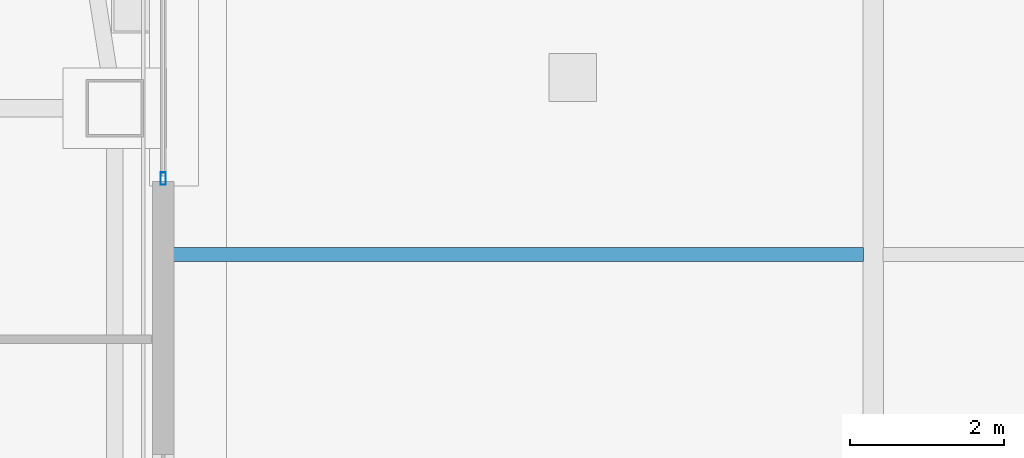
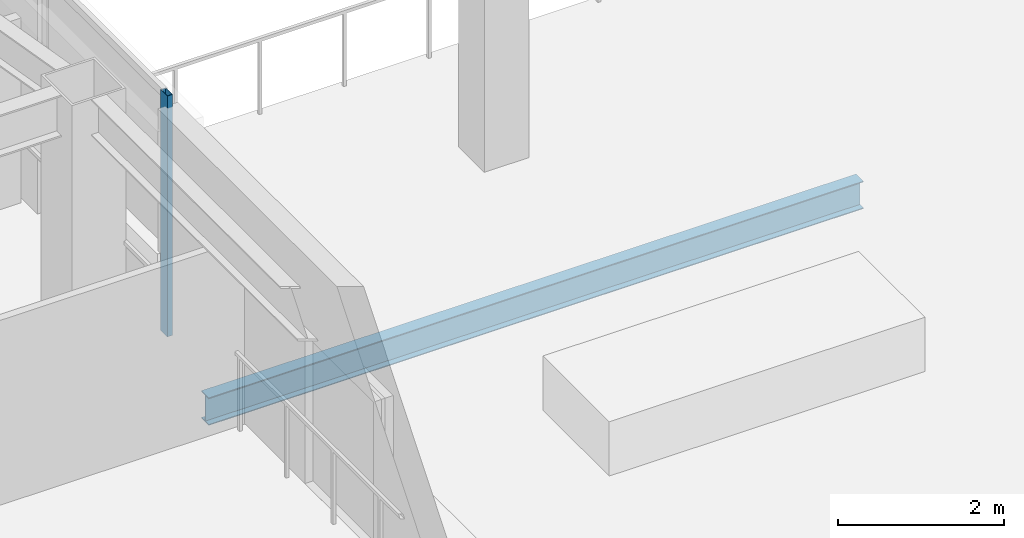
# One storey, part 11 of 37: 1 beam, 1 member, 1 element without a shape of its own.
"""IFC4 building model written with IfcOpenShell, lengths in metres."""

import ifcopenshell
import ifcopenshell.guid

model = None  # the IFC model being written
_history = None  # IfcOwnerHistory: only IFC2X3 demands one
_inside = {}  # id of a spatial element -> (the spatial element, [elements in it])
_under = {}  # id of a project, library or spatial element -> (it, [spatial elements below it])
_declared = {}  # id of a project -> (the project, [libraries it declares])
_typed = {}  # id of a type object -> (the type object, [elements of that type])
_made_of = {}  # id of a material, layer set ... -> (it, [elements and type objects made of it])


def new_model(schema):
    """Start an empty IFC model of exactly this schema.

    Asked for "IFC4X3", IfcOpenShell would pick the latest addendum, in which some entities
    have other attributes; the version numbers below select the first issue.
    IFC2X3 requires an IfcOwnerHistory on every rooted entity: one is made here for all.
    """
    global model, _history
    if schema == "IFC4X3":
        model = ifcopenshell.file(schema_version=(4, 3, 0, 0))
    else:
        model = ifcopenshell.file(schema=schema)
    _inside.clear()
    _under.clear()
    _declared.clear()
    _typed.clear()
    _made_of.clear()
    _history = None
    if model.schema == "IFC2X3":
        org = make("IfcOrganization", Name="unknown")
        user = make(
            "IfcPersonAndOrganization",
            ThePerson=make("IfcPerson", FamilyName="unknown"),
            TheOrganization=org,
        )
        app = make(
            "IfcApplication",
            ApplicationDeveloper=org,
            Version="unknown",
            ApplicationFullName="unknown",
            ApplicationIdentifier="unknown",
        )
        _history = make(
            "IfcOwnerHistory",
            OwningUser=user,
            OwningApplication=app,
            ChangeAction="ADDED",
            CreationDate=0,
        )
    return model


def make(cls, **values):
    """One entity of the class cls with the attributes given. An attribute that is None is left unset."""
    return model.create_entity(
        cls, **{name: value for name, value in values.items() if value is not None}
    )


def rooted(cls, **values):
    """An entity with a GlobalId (a new one), such as an element, a storey or a relation."""
    return make(cls, GlobalId=ifcopenshell.guid.new(), OwnerHistory=_history, **values)


def si_unit(unit_type, name, prefix=None):
    """IfcSIUnit, for example si_unit("LENGTHUNIT", "METRE", prefix="MILLI")."""
    return make("IfcSIUnit", UnitType=unit_type, Prefix=prefix, Name=name)


def assignment(units):
    """IfcUnitAssignment: the units of a project."""
    return None if units is None else make("IfcUnitAssignment", Units=units)


def point(xyz):
    """IfcCartesianPoint."""
    return None if xyz is None else make("IfcCartesianPoint", Coordinates=xyz)


def direction(xyz):
    """IfcDirection."""
    return None if xyz is None else make("IfcDirection", DirectionRatios=xyz)


def frame(location, z_axis=None, x_axis=None):
    """IfcAxis2Placement3D, a coordinate frame: its origin and axes. An axis left out is left unset."""
    return make(
        "IfcAxis2Placement3D",
        Location=point(location),
        Axis=direction(z_axis),
        RefDirection=direction(x_axis),
    )


def frame_2d(location, x_axis=None):
    """IfcAxis2Placement2D, a coordinate frame in the plane: its origin and x axis."""
    return make(
        "IfcAxis2Placement2D", Location=point(location), RefDirection=direction(x_axis)
    )


def origin():
    """The frame at (0, 0, 0) with its axes left unset."""
    return frame((0.0, 0.0, 0.0))


def origin_2d():
    """The frame at (0, 0) in the plane with its x axis left unset."""
    return frame_2d((0.0, 0.0))


def place(relative_to, where):
    """IfcLocalPlacement: puts the frame where relative to a parent placement (None: the world)."""
    return make(
        "IfcLocalPlacement", PlacementRelTo=relative_to, RelativePlacement=where
    )


def context(
    kind, dimensions, precision=None, world=None, true_north=None, identifier=None
):
    """IfcGeometricRepresentationContext, for example the 3D "Model" context."""
    return make(
        "IfcGeometricRepresentationContext",
        ContextIdentifier=identifier,
        ContextType=kind,
        CoordinateSpaceDimension=dimensions,
        Precision=precision,
        WorldCoordinateSystem=world,
        TrueNorth=true_north,
    )


def subcontext(parent, identifier, kind, view, scale=None):
    """IfcGeometricRepresentationSubContext, for example "Body" below "Model"."""
    return make(
        "IfcGeometricRepresentationSubContext",
        ContextIdentifier=identifier,
        ContextType=kind,
        ParentContext=parent,
        TargetScale=scale,
        TargetView=view,
    )


def project(units=None, contexts=None):
    """IfcProject with its units and contexts."""
    return rooted(
        "IfcProject",
        Name="project",
        RepresentationContexts=contexts,
        UnitsInContext=assignment(units),
    )


def spatial(cls, under=None, at=None, **own):
    """A site, building, storey or space (cls), placed at a placement, below another one or the project."""
    s = rooted(cls, ObjectPlacement=at, **own)
    if under is not None:
        _under.setdefault(under.id(), (under, []))[1].append(s)
    return s


def profile(cls, at=None, kind="AREA", **sizes):
    """A parametric profile (cls). Its sizes go by their IFC names, for example OverallWidth=200.0."""
    return make(cls, ProfileType=kind, Position=at, **sizes)


def hollow_rectangle(**sizes):
    """IfcRectangleHollowProfileDef."""
    return profile("IfcRectangleHollowProfileDef", **sizes)


def i_section(**sizes):
    """IfcIShapeProfileDef."""
    return profile("IfcIShapeProfileDef", **sizes)


def extrude(swept, where, along, depth):
    """IfcExtrudedAreaSolid: the profile swept, set in the frame where, extruded along a direction by depth."""
    return make(
        "IfcExtrudedAreaSolid",
        SweptArea=swept,
        Position=where,
        ExtrudedDirection=direction(along),
        Depth=depth,
    )


def shape(context_of_items, identifier, shape_type, items):
    """IfcShapeRepresentation: the items that make up one representation, for example the "Body"."""
    return make(
        "IfcShapeRepresentation",
        ContextOfItems=context_of_items,
        RepresentationIdentifier=identifier,
        RepresentationType=shape_type,
        Items=items,
    )


def material(Name=None, Category=None):
    """IfcMaterial."""
    return make("IfcMaterial", Name=Name, Category=Category)


def material_profile(
    of_material, cross_section, Name=None, Category=None, Priority=None
):
    """IfcMaterialProfile: a cross section and its material."""
    return make(
        "IfcMaterialProfile",
        Name=Name,
        Material=of_material,
        Profile=cross_section,
        Priority=Priority,
        Category=Category,
    )


def profile_set(profiles, Name=None, composite=None):
    """IfcMaterialProfileSet."""
    return make(
        "IfcMaterialProfileSet",
        Name=Name,
        MaterialProfiles=profiles,
        CompositeProfile=composite,
    )


def made_of(thing, what):
    """Note that an element or type object is made of a material, layer set ...; save() writes the relation."""
    if what is not None:
        _made_of.setdefault(what.id(), (what, []))[1].append(thing)
    return thing


def type_object(cls, material=None, **own):
    """A type object (cls), such as IfcWallType, which elements share."""
    return made_of(rooted(cls, **own), material)


def element(
    cls,
    number,
    at=None,
    inside=None,
    cuts=None,
    type_object=None,
    material=None,
    context=None,
    identifier="Body",
    shape_type=None,
    held_by="IfcProductDefinitionShape",
    body=None,
    shapes=None,
    **own,
):
    """One element of the class cls, such as IfcWall. Its Tag is "e" and its number.

    at: its placement. inside: the storey or other place that contains it. cuts: it is an
    opening in that element (IfcRelVoidsElement). A single representation is given by context,
    identifier, shape_type and body (its items); several are given by shapes. held_by: the class
    of the entity that holds the representations. save() writes the other relations.
    """
    e = rooted(cls, Tag="e%d" % number, ObjectPlacement=at, **own)
    if body is not None:
        shapes = [shape(context, identifier, shape_type, body)]
    if shapes is not None:
        e.Representation = make(held_by, Representations=shapes)
    if inside is not None:
        _inside.setdefault(inside.id(), (inside, []))[1].append(e)
    if cuts is not None:
        rooted(
            "IfcRelVoidsElement", RelatingBuildingElement=cuts, RelatedOpeningElement=e
        )
    if type_object is not None:
        _typed.setdefault(type_object.id(), (type_object, []))[1].append(e)
    return made_of(e, material)


def aggregate(whole, parts):
    """IfcRelAggregates: a whole, such as a stair, and the parts it consists of."""
    return rooted("IfcRelAggregates", RelatingObject=whole, RelatedObjects=parts)


def save(model, path):
    """Write the relations noted so far, then the file.

    IfcRelAggregates (storeys below a building ...), IfcRelContainedInSpatialStructure (elements
    in a storey), IfcRelDefinesByType, IfcRelAssociatesMaterial and IfcRelDeclares: one each for
    every whole, place, type object, material and project.
    """
    for whole, parts in _under.values():
        aggregate(whole, parts)
    for where, things in _inside.values():
        rooted(
            "IfcRelContainedInSpatialStructure",
            RelatedElements=things,
            RelatingStructure=where,
        )
    for kind, things in _typed.values():
        rooted("IfcRelDefinesByType", RelatedObjects=things, RelatingType=kind)
    for what, things in _made_of.values():
        rooted("IfcRelAssociatesMaterial", RelatedObjects=things, RelatingMaterial=what)
    for by, libraries in _declared.values():
        rooted("IfcRelDeclares", RelatingContext=by, RelatedDefinitions=libraries)
    model.write(path)


model = new_model("IFC4")

# Units and contexts
model_context = context("Model", 3, precision=1e-05, world=origin(), true_north=direction((0.0, 1.0)))
body_context = subcontext(model_context, "Body", "Model", "MODEL_VIEW")
ifc_project = project(units=[si_unit("LENGTHUNIT", "METRE"), si_unit("AREAUNIT", "SQUARE_METRE"), si_unit("VOLUMEUNIT", "CUBIC_METRE"), si_unit("PLANEANGLEUNIT", "RADIAN"), si_unit("MASSUNIT", "GRAM", prefix="KILO")], contexts=[model_context])

# Site, building, storey
site_placement = place(None, origin())
site = spatial("IfcSite", under=ifc_project, at=site_placement, CompositionType="ELEMENT")
building_placement = place(site_placement, origin())
building = spatial("IfcBuilding", under=site, at=building_placement, Name="Tashvorn Skyway Center", CompositionType="ELEMENT")
storey_placement = place(building_placement, frame((0.0, 0.0, 263.39990234375)))
storey = spatial("IfcBuildingStorey", under=building, at=storey_placement, Name="L71", CompositionType="ELEMENT", Elevation=263.39990234375)

# Beam
ifc_material_1 = material(Name="Steel ASTM A992 Grade 50", Category="steel")
ifc_material_profile_1 = material_profile(ifc_material_1, i_section(OverallWidth=0.177978515625, OverallDepth=0.406005859375, WebThickness=0.0078125, FlangeThickness=0.0126953125, at=origin_2d()), Name="W16X40")
ifc_profile_set_1 = profile_set([ifc_material_profile_1], Name="Steel ASTM A992 Grade 50")
beam_type = type_object("IfcBeamType", Name="BM-JOIST-W16X40", PredefinedType="JOIST", material=ifc_profile_set_1)
beam_placement = place(storey_placement, frame((57.1494140625, 35.5, -0.5029296875), z_axis=(1.0, 0.0, 0.0), x_axis=(0.0, 1.0, 0.0)))
element("IfcBeam", 1, at=beam_placement, inside=storey, type_object=beam_type, Name="Sky-Park L71 Longitudinal Joist 06-3", PredefinedType="JOIST", context=body_context, shape_type="SweptSolid", body=[
    extrude(i_section(OverallWidth=0.177978515625, OverallDepth=0.406005859375, WebThickness=0.0078125, FlangeThickness=0.0126953125, at=origin_2d()), origin(), (0.0, 0.0, 1.0), 9.125),
])

# Curtain wall, member
ifc_material_2 = material(Name="Thermally broken bronze-anodized aluminium 6063-T6", Category="aluminium")
curtain_wall_type = type_object("IfcCurtainWallType", Name="CW-CW-Z5", PredefinedType="NOTDEFINED", material=ifc_material_2)
curtain_wall_placement = place(storey_placement, origin())
curtain_wall = element("IfcCurtainWall", 2, at=curtain_wall_placement, inside=storey, type_object=curtain_wall_type, Name="Tower 1 L71 East Curtain Wall L Glazing Group 1", PredefinedType="NOTDEFINED")
ifc_material_profile_2 = material_profile(ifc_material_2, hollow_rectangle(XDim=0.070068359375, YDim=0.1650390625, WallThickness=0.00390625, at=origin_2d()), Name="ALU-MULL-70x165")
ifc_profile_set_2 = profile_set([ifc_material_profile_2], Name="Thermally broken bronze-anodized aluminium 6063-T6")
member_type = type_object("IfcMemberType", Name="CWM-CW-Z5", PredefinedType="MULLION", material=ifc_profile_set_2)
member_placement = place(storey_placement, frame((57.179931640625, 36.485107421875, 0.0), z_axis=(0.0, 0.0, 1.0), x_axis=(1.0, 0.0, 0.0)))
member = element("IfcMember", 3, at=member_placement, type_object=member_type, Name="CW-Z5 mullion 2", PredefinedType="MULLION", context=body_context, shape_type="SweptSolid", body=[
    extrude(hollow_rectangle(XDim=0.070068359375, YDim=0.1650390625, WallThickness=0.00390625, at=origin_2d()), origin(), (0.0, 0.0, 1.0), 3.550048828125),
])
aggregate(curtain_wall, [member])

save(model, "model.ifc")
